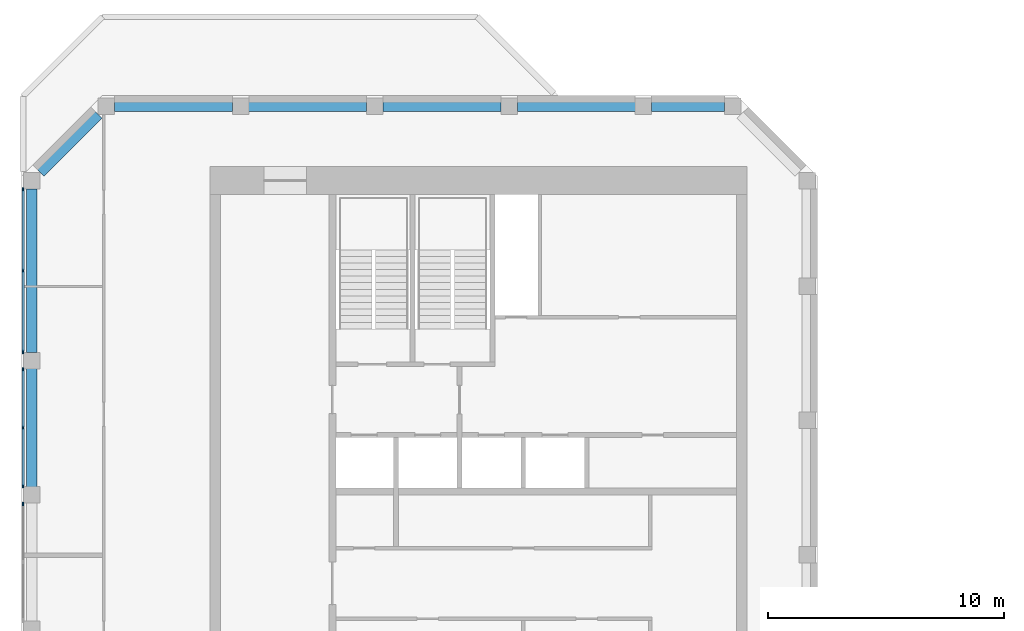
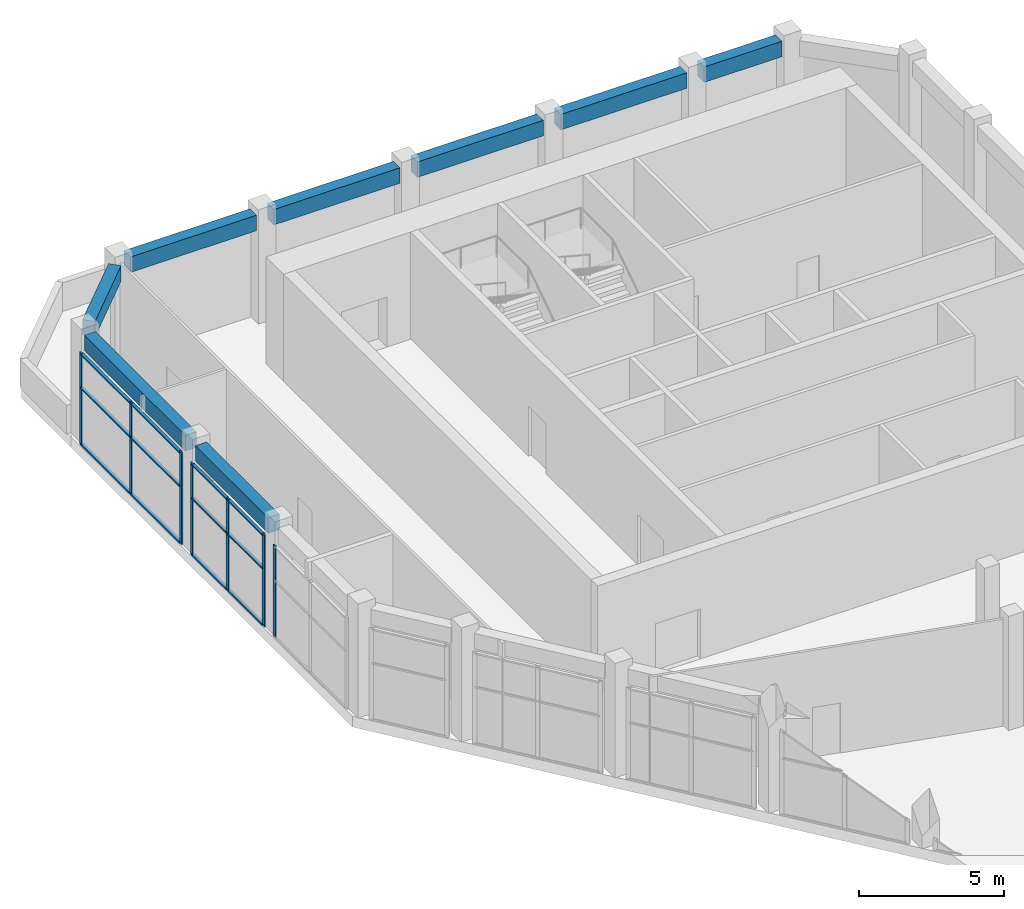
# One storey, part 5 of 10: 19 members, 8 beams, 3 elements without a shape of their own.
"""IFC4 building model written with IfcOpenShell, lengths in metres."""

from ifc_helpers import new_model, si_unit, direction, frame, origin, origin_2d, place, context, subcontext, project, spatial, rectangle, extrude, material, material_profile, profile_set, type_object, element, aggregate, save


model = new_model("IFC4")

# Units and contexts
model_context = context("Model", 3, precision=1e-05, world=origin(), true_north=direction((0.0, 1.0)))
body_context = subcontext(model_context, "Body", "Model", "MODEL_VIEW")
ifc_project = project(units=[si_unit("LENGTHUNIT", "METRE"), si_unit("AREAUNIT", "SQUARE_METRE"), si_unit("VOLUMEUNIT", "CUBIC_METRE"), si_unit("PLANEANGLEUNIT", "RADIAN"), si_unit("MASSUNIT", "GRAM", prefix="KILO")], contexts=[model_context])

# Site, building, storey
site_placement = place(None, origin())
site = spatial("IfcSite", under=ifc_project, at=site_placement, CompositionType="ELEMENT")
building_placement = place(site_placement, origin())
building = spatial("IfcBuilding", under=site, at=building_placement, Name="Meshkara Civic Tower", CompositionType="ELEMENT")
storey_placement = place(building_placement, frame((0.0, 0.0, 419.39990234375)))
storey = spatial("IfcBuildingStorey", under=building, at=storey_placement, Name="L96 Crown", CompositionType="ELEMENT", Elevation=419.39990234375)

# Curtain wall, members
ifc_material_1 = material(Name="Tinted double glazing", Category="glass")
curtain_wall_type = type_object("IfcCurtainWallType", Name="CW CROWN LANTERN", PredefinedType="NOTDEFINED", material=ifc_material_1)
curtain_wall_1_placement = place(storey_placement, origin())
curtain_wall_1 = element("IfcCurtainWall", 1, at=curtain_wall_1_placement, inside=storey, type_object=curtain_wall_type, Name="Curtain wall CW3", PredefinedType="NOTDEFINED")
ifc_material_2 = material(Name="Bronze anodised aluminium", Category="aluminium")
ifc_material_profile_1 = material_profile(ifc_material_2, rectangle(XDim=0.06005859375, YDim=0.159912109375, at=origin_2d()))
ifc_profile_set_1 = profile_set([ifc_material_profile_1], Name="Bronze anodised aluminium")
member_type_1 = type_object("IfcMemberType", Name="CW MULLION 60x160", PredefinedType="MULLION", material=ifc_profile_set_1)
member_1_placement = place(storey_placement, frame((0.080078125, 35.9140625, 0.0), z_axis=(0.0, 0.0, 1.0), x_axis=(1.0, 0.0, 0.0)))
member_1 = element("IfcMember", 2, at=member_1_placement, type_object=member_type_1, Name="CW3 mullion 1", PredefinedType="MULLION", context=body_context, shape_type="SweptSolid", body=[
    extrude(rectangle(XDim=0.06005859375, YDim=0.159912109375, at=origin_2d()), origin(), (0.0, 0.0, 1.0), 3.85009765625),
])
member_2_placement = place(storey_placement, frame((0.080078125, 32.474609375, 0.0), z_axis=(0.0, 0.0, 1.0), x_axis=(1.0, 0.0, 0.0)))
member_2 = element("IfcMember", 3, at=member_2_placement, type_object=member_type_1, Name="CW3 mullion 2", PredefinedType="MULLION", context=body_context, shape_type="SweptSolid", body=[
    extrude(rectangle(XDim=0.06005859375, YDim=0.159912109375, at=origin_2d()), origin(), (0.0, 0.0, 1.0), 3.85009765625),
])
member_3_placement = place(storey_placement, frame((0.080078125, 29.034912109375, 0.0), z_axis=(0.0, 0.0, 1.0), x_axis=(1.0, 0.0, 0.0)))
member_3 = element("IfcMember", 4, at=member_3_placement, type_object=member_type_1, Name="CW3 mullion 3", PredefinedType="MULLION", context=body_context, shape_type="SweptSolid", body=[
    extrude(rectangle(XDim=0.06005859375, YDim=0.159912109375, at=origin_2d()), origin(), (0.0, 0.0, 1.0), 3.85009765625),
])

curtain_wall_2_placement = place(storey_placement, origin())
curtain_wall_2 = element("IfcCurtainWall", 5, at=curtain_wall_2_placement, inside=storey, type_object=curtain_wall_type, Name="Curtain wall CW3", PredefinedType="NOTDEFINED")
member_4_placement = place(storey_placement, frame((0.080078125, 28.27490234375, 0.0), z_axis=(0.0, 0.0, 1.0), x_axis=(1.0, 0.0, 0.0)))
member_4 = element("IfcMember", 6, at=member_4_placement, type_object=member_type_1, Name="CW3 mullion 1", PredefinedType="MULLION", context=body_context, shape_type="SweptSolid", body=[
    extrude(rectangle(XDim=0.06005859375, YDim=0.159912109375, at=origin_2d()), origin(), (0.0, 0.0, 1.0), 3.85009765625),
])
member_5_placement = place(storey_placement, frame((0.080078125, 25.804931640625, 0.0), z_axis=(0.0, 0.0, 1.0), x_axis=(1.0, 0.0, 0.0)))
member_5 = element("IfcMember", 7, at=member_5_placement, type_object=member_type_1, Name="CW3 mullion 2", PredefinedType="MULLION", context=body_context, shape_type="SweptSolid", body=[
    extrude(rectangle(XDim=0.06005859375, YDim=0.159912109375, at=origin_2d()), origin(), (0.0, 0.0, 1.0), 3.85009765625),
])
member_6_placement = place(storey_placement, frame((0.080078125, 23.3349609375, 0.0), z_axis=(0.0, 0.0, 1.0), x_axis=(1.0, 0.0, 0.0)))
member_6 = element("IfcMember", 8, at=member_6_placement, type_object=member_type_1, Name="CW3 mullion 3", PredefinedType="MULLION", context=body_context, shape_type="SweptSolid", body=[
    extrude(rectangle(XDim=0.06005859375, YDim=0.159912109375, at=origin_2d()), origin(), (0.0, 0.0, 1.0), 3.85009765625),
])

# Curtain wall, member
curtain_wall_3_placement = place(storey_placement, origin())
curtain_wall_3 = element("IfcCurtainWall", 9, at=curtain_wall_3_placement, inside=storey, type_object=curtain_wall_type, Name="Curtain wall CW3", PredefinedType="NOTDEFINED")
member_7_placement = place(storey_placement, frame((0.080078125, 22.574951171875, 0.0), z_axis=(0.0, 0.0, 1.0), x_axis=(1.0, 0.0, 0.0)))
member_7 = element("IfcMember", 10, at=member_7_placement, type_object=member_type_1, Name="CW3 mullion 1", PredefinedType="MULLION", context=body_context, shape_type="SweptSolid", body=[
    extrude(rectangle(XDim=0.06005859375, YDim=0.159912109375, at=origin_2d()), origin(), (0.0, 0.0, 1.0), 3.85009765625),
])
aggregate(curtain_wall_3, [member_7])

# Member
ifc_material_3 = material(Name="Bronze anodised aluminium", Category="aluminium")
ifc_material_profile_2 = material_profile(ifc_material_3, rectangle(XDim=0.1201171875, YDim=0.06005859375, at=origin_2d()))
ifc_profile_set_2 = profile_set([ifc_material_profile_2], Name="Bronze anodised aluminium")
member_type_2 = type_object("IfcMemberType", Name="CW TRANSOM 60x120", PredefinedType="USERDEFINED", material=ifc_profile_set_2)
member_8_placement = place(storey_placement, frame((0.080078125, 35.884033203125, 0.030029296875), z_axis=(0.0, -1.0, 0.0), x_axis=(1.0, 0.0, 0.0)))
member_8 = element("IfcMember", 11, at=member_8_placement, type_object=member_type_2, Name="CW3 transom 1.1", ObjectType="TRANSOM", PredefinedType="USERDEFINED", context=body_context, shape_type="SweptSolid", body=[
    extrude(rectangle(XDim=0.1201171875, YDim=0.06005859375, at=origin_2d()), origin(), (0.0, 0.0, 1.0), 3.379638671875),
])

member_9_placement = place(storey_placement, frame((0.080078125, 35.884033203125, 2.400146484375), z_axis=(0.0, -1.0, 0.0), x_axis=(1.0, 0.0, 0.0)))
member_9 = element("IfcMember", 12, at=member_9_placement, type_object=member_type_2, Name="CW3 transom 1.2", ObjectType="TRANSOM", PredefinedType="USERDEFINED", context=body_context, shape_type="SweptSolid", body=[
    extrude(rectangle(XDim=0.1201171875, YDim=0.06005859375, at=origin_2d()), origin(), (0.0, 0.0, 1.0), 3.379638671875),
])

member_10_placement = place(storey_placement, frame((0.080078125, 35.884033203125, 3.820068359375), z_axis=(0.0, -1.0, 0.0), x_axis=(1.0, 0.0, 0.0)))
member_10 = element("IfcMember", 13, at=member_10_placement, type_object=member_type_2, Name="CW3 transom 1.3", ObjectType="TRANSOM", PredefinedType="USERDEFINED", context=body_context, shape_type="SweptSolid", body=[
    extrude(rectangle(XDim=0.1201171875, YDim=0.06005859375, at=origin_2d()), origin(), (0.0, 0.0, 1.0), 3.379638671875),
])

member_11_placement = place(storey_placement, frame((0.080078125, 32.444580078125, 0.030029296875), z_axis=(0.0, -1.0, 0.0), x_axis=(1.0, 0.0, 0.0)))
member_11 = element("IfcMember", 14, at=member_11_placement, type_object=member_type_2, Name="CW3 transom 2.1", ObjectType="TRANSOM", PredefinedType="USERDEFINED", context=body_context, shape_type="SweptSolid", body=[
    extrude(rectangle(XDim=0.1201171875, YDim=0.06005859375, at=origin_2d()), origin(), (0.0, 0.0, 1.0), 3.379638671875),
])

member_12_placement = place(storey_placement, frame((0.080078125, 32.444580078125, 2.400146484375), z_axis=(0.0, -1.0, 0.0), x_axis=(1.0, 0.0, 0.0)))
member_12 = element("IfcMember", 15, at=member_12_placement, type_object=member_type_2, Name="CW3 transom 2.2", ObjectType="TRANSOM", PredefinedType="USERDEFINED", context=body_context, shape_type="SweptSolid", body=[
    extrude(rectangle(XDim=0.1201171875, YDim=0.06005859375, at=origin_2d()), origin(), (0.0, 0.0, 1.0), 3.379638671875),
])

member_13_placement = place(storey_placement, frame((0.080078125, 32.444580078125, 3.820068359375), z_axis=(0.0, -1.0, 0.0), x_axis=(1.0, 0.0, 0.0)))
member_13 = element("IfcMember", 16, at=member_13_placement, type_object=member_type_2, Name="CW3 transom 2.3", ObjectType="TRANSOM", PredefinedType="USERDEFINED", context=body_context, shape_type="SweptSolid", body=[
    extrude(rectangle(XDim=0.1201171875, YDim=0.06005859375, at=origin_2d()), origin(), (0.0, 0.0, 1.0), 3.379638671875),
])

aggregate(curtain_wall_1, [member_1, member_2, member_3, member_8, member_9, member_10, member_11, member_12, member_13])

member_14_placement = place(storey_placement, frame((0.080078125, 28.2451171875, 0.030029296875), z_axis=(0.0, -1.0, 0.0), x_axis=(1.0, 0.0, 0.0)))
member_14 = element("IfcMember", 17, at=member_14_placement, type_object=member_type_2, Name="CW3 transom 1.1", ObjectType="TRANSOM", PredefinedType="USERDEFINED", context=body_context, shape_type="SweptSolid", body=[
    extrude(rectangle(XDim=0.1201171875, YDim=0.06005859375, at=origin_2d()), origin(), (0.0, 0.0, 1.0), 2.41015625),
])

member_15_placement = place(storey_placement, frame((0.080078125, 28.2451171875, 2.400146484375), z_axis=(0.0, -1.0, 0.0), x_axis=(1.0, 0.0, 0.0)))
member_15 = element("IfcMember", 18, at=member_15_placement, type_object=member_type_2, Name="CW3 transom 1.2", ObjectType="TRANSOM", PredefinedType="USERDEFINED", context=body_context, shape_type="SweptSolid", body=[
    extrude(rectangle(XDim=0.1201171875, YDim=0.06005859375, at=origin_2d()), origin(), (0.0, 0.0, 1.0), 2.41015625),
])

member_16_placement = place(storey_placement, frame((0.080078125, 28.2451171875, 3.820068359375), z_axis=(0.0, -1.0, 0.0), x_axis=(1.0, 0.0, 0.0)))
member_16 = element("IfcMember", 19, at=member_16_placement, type_object=member_type_2, Name="CW3 transom 1.3", ObjectType="TRANSOM", PredefinedType="USERDEFINED", context=body_context, shape_type="SweptSolid", body=[
    extrude(rectangle(XDim=0.1201171875, YDim=0.06005859375, at=origin_2d()), origin(), (0.0, 0.0, 1.0), 2.41015625),
])

member_17_placement = place(storey_placement, frame((0.080078125, 25.77490234375, 0.030029296875), z_axis=(0.0, -1.0, 0.0), x_axis=(1.0, 0.0, 0.0)))
member_17 = element("IfcMember", 20, at=member_17_placement, type_object=member_type_2, Name="CW3 transom 2.1", ObjectType="TRANSOM", PredefinedType="USERDEFINED", context=body_context, shape_type="SweptSolid", body=[
    extrude(rectangle(XDim=0.1201171875, YDim=0.06005859375, at=origin_2d()), origin(), (0.0, 0.0, 1.0), 2.409912109375),
])

member_18_placement = place(storey_placement, frame((0.080078125, 25.77490234375, 2.400146484375), z_axis=(0.0, -1.0, 0.0), x_axis=(1.0, 0.0, 0.0)))
member_18 = element("IfcMember", 21, at=member_18_placement, type_object=member_type_2, Name="CW3 transom 2.2", ObjectType="TRANSOM", PredefinedType="USERDEFINED", context=body_context, shape_type="SweptSolid", body=[
    extrude(rectangle(XDim=0.1201171875, YDim=0.06005859375, at=origin_2d()), origin(), (0.0, 0.0, 1.0), 2.409912109375),
])

member_19_placement = place(storey_placement, frame((0.080078125, 25.77490234375, 3.820068359375), z_axis=(0.0, -1.0, 0.0), x_axis=(1.0, 0.0, 0.0)))
member_19 = element("IfcMember", 22, at=member_19_placement, type_object=member_type_2, Name="CW3 transom 2.3", ObjectType="TRANSOM", PredefinedType="USERDEFINED", context=body_context, shape_type="SweptSolid", body=[
    extrude(rectangle(XDim=0.1201171875, YDim=0.06005859375, at=origin_2d()), origin(), (0.0, 0.0, 1.0), 2.409912109375),
])

aggregate(curtain_wall_2, [member_4, member_5, member_6, member_14, member_15, member_16, member_17, member_18, member_19])

# Beams
ifc_material_4 = material(Name="Concrete C50", Category="concrete")
ifc_material_profile_3 = material_profile(ifc_material_4, rectangle(XDim=0.449951171875, YDim=0.64990234375, at=origin_2d()))
ifc_profile_set_3 = profile_set([ifc_material_profile_3], Name="Concrete C50")
beam_type = type_object("IfcBeamType", Name="Spandrel beam RC 450x650 C50", PredefinedType="BEAM", material=ifc_profile_set_3)
beam_1_placement = place(storey_placement, frame((29.84912109375, 39.449951171875, 4.175048828125), z_axis=(-1.0, 0.0, 0.0), x_axis=(0.0, -1.0, 0.0)))
element("IfcBeam", 23, at=beam_1_placement, inside=storey, type_object=beam_type, Name="Spandrel beam HCeE-HN04", PredefinedType="BEAM", context=body_context, shape_type="SweptSolid", body=[
    extrude(rectangle(XDim=0.449951171875, YDim=0.64990234375, at=origin_2d()), origin(), (0.0, 0.0, 1.0), 3.09814453125),
])
for number, where, z_axis, x_axis, name in (
    (24, (26.06103515625, 39.449951171875, 4.175048828125), (-1.0, 0.0, 0.0), (0.0, -1.0, 0.0), "Spandrel beam HN03-HN04"),
    (25, (20.361083984375, 39.449951171875, 4.175048828125), (-1.0, 0.0, 0.0), (0.0, -1.0, 0.0), "Spandrel beam HN02-HN03"),
    (26, (14.660888671875, 39.449951171875, 4.175048828125), (-1.0, 0.0, 0.0), (0.0, -1.0, 0.0), "Spandrel beam HN01-HN02"),
    (27, (8.9609375, 39.449951171875, 4.175048828125), (-1.0, 0.0, 0.0), (0.0, -1.0, 0.0), "Spandrel beam HN00-P8-HN01"),
):
    element("IfcBeam", number, at=place(storey_placement, frame(where, z_axis=z_axis, x_axis=x_axis)), inside=storey, type_object=beam_type, Name=name, PredefinedType="BEAM", context=body_context, shape_type="SweptSolid", body=[
        extrude(rectangle(XDim=0.449951171875, YDim=0.64990234375, at=origin_2d()), origin(), (0.0, 0.0, 1.0), 5.010009765625),
    ])
beam_2_placement = place(storey_placement, frame((3.259521484375, 39.103515625, 4.175048828125), z_axis=(-0.707106781187, -0.707106781187, 0.0), x_axis=(0.707106781187, -0.707106781187, 0.0)))
element("IfcBeam", 28, at=beam_2_placement, inside=storey, type_object=beam_type, Name="Spandrel beam HCw00-HN00-P8", PredefinedType="BEAM", context=body_context, shape_type="SweptSolid", body=[
    extrude(rectangle(XDim=0.449951171875, YDim=0.64990234375, at=origin_2d()), origin(), (0.0, 0.0, 1.0), 3.4833984375),
])
beam_3_placement = place(storey_placement, frame((0.449951171875, 35.948974609375, 4.175048828125), z_axis=(0.0, -1.0, 0.0), x_axis=(1.0, 0.0, 0.0)))
element("IfcBeam", 29, at=beam_3_placement, inside=storey, type_object=beam_type, Name="Spandrel beam AW02-HCw00", PredefinedType="BEAM", context=body_context, shape_type="SweptSolid", body=[
    extrude(rectangle(XDim=0.449951171875, YDim=0.64990234375, at=origin_2d()), origin(), (0.0, 0.0, 1.0), 6.948974609375),
])
beam_4_placement = place(storey_placement, frame((0.449951171875, 28.31005859375, 4.175048828125), z_axis=(0.0, -1.0, 0.0), x_axis=(1.0, 0.0, 0.0)))
element("IfcBeam", 30, at=beam_4_placement, inside=storey, type_object=beam_type, Name="Spandrel beam AW01-AW02", PredefinedType="BEAM", context=body_context, shape_type="SweptSolid", body=[
    extrude(rectangle(XDim=0.449951171875, YDim=0.64990234375, at=origin_2d()), origin(), (0.0, 0.0, 1.0), 5.010009765625),
])

save(model, "model.ifc")
